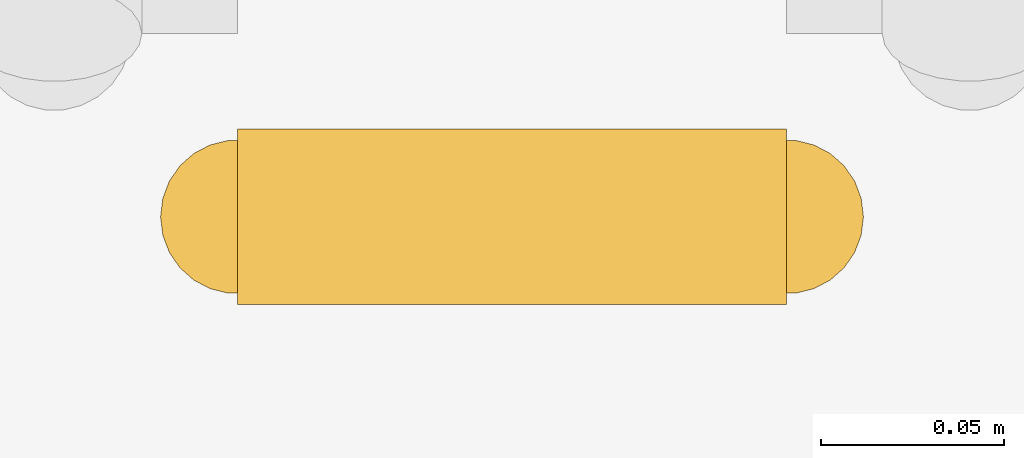
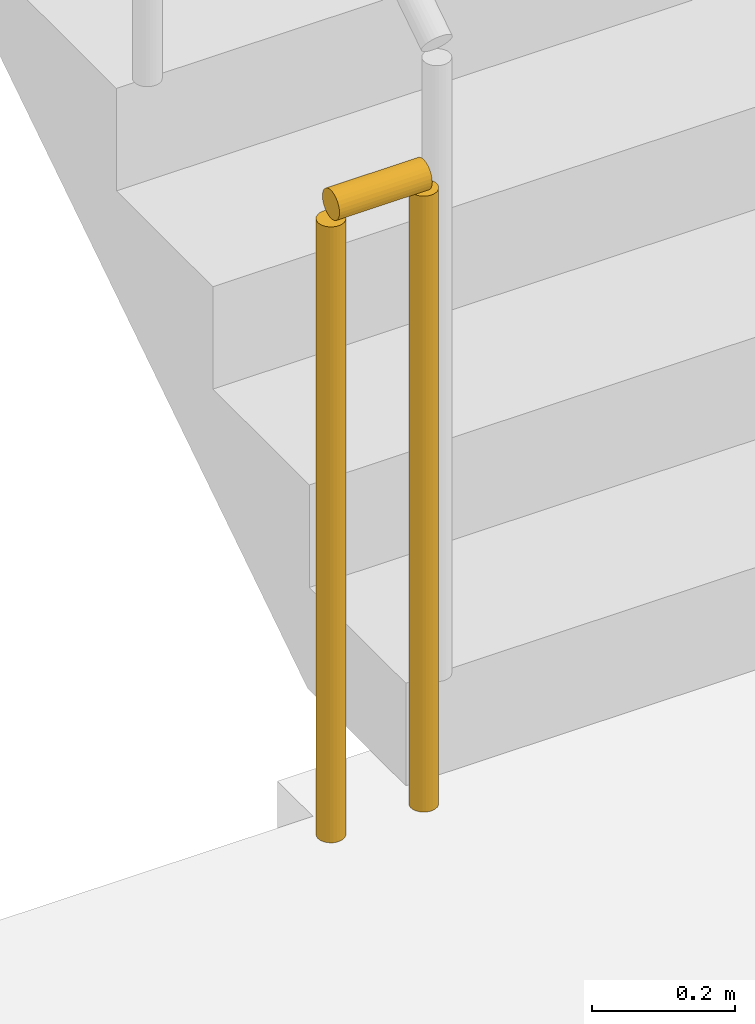
# One storey, part 16 of 19: 1 railing.
"""IFC4 building model written with IfcOpenShell, lengths in metres."""

from ifc_helpers import new_model, si_unit, direction, frame, origin, origin_2d, place, context, subcontext, project, spatial, circle, extrude, material, type_object, element, save


model = new_model("IFC4")

# Units and contexts
model_context = context("Model", 3, precision=1e-05, world=origin(), true_north=direction((0.0, 1.0)))
body_context = subcontext(model_context, "Body", "Model", "MODEL_VIEW")
ifc_project = project(units=[si_unit("LENGTHUNIT", "METRE"), si_unit("AREAUNIT", "SQUARE_METRE"), si_unit("VOLUMEUNIT", "CUBIC_METRE"), si_unit("PLANEANGLEUNIT", "RADIAN"), si_unit("MASSUNIT", "GRAM", prefix="KILO")], contexts=[model_context])

# Site, building, storey
site_placement = place(None, origin())
site = spatial("IfcSite", under=ifc_project, at=site_placement, CompositionType="ELEMENT")
building_placement = place(site_placement, origin())
building = spatial("IfcBuilding", under=site, at=building_placement, Name="Saffron Iwan Residences", CompositionType="ELEMENT")
storey_placement = place(building_placement, frame((0.0, 0.0, 116.5)))
storey = spatial("IfcBuildingStorey", under=building, at=storey_placement, Name="L30", CompositionType="ELEMENT", Elevation=116.5)

# Railing
ifc_material = material(Name="Steel S355", Category="steel")
railing_type = type_object("IfcRailingType", Name="Stair guard 1100", PredefinedType="GUARDRAIL", material=ifc_material)
railing_placement = place(storey_placement, frame((69.699951171875, 67.800048828125, 0.0)))
element("IfcRailing", 1, at=railing_placement, inside=storey, type_object=railing_type, Name="L30 ST-E stair guard 2", PredefinedType="GUARDRAIL", context=body_context, shape_type="SweptSolid", body=[
    extrude(circle(Radius=0.02392578125, at=origin_2d()), frame((0.0, 0.0, 1.076171875), z_axis=(-1.0, 0.0, 0.0), x_axis=(0.0, -1.0, 0.0)), (0.0, 0.0, 1.0), 0.14990234375),
    extrude(circle(Radius=0.02099609375, at=origin_2d()), origin(), (0.0, 0.0, 1.0), 1.052001953125),
    extrude(circle(Radius=0.02099609375, at=origin_2d()), frame((-0.14990234375, 0.0, 0.0)), (0.0, 0.0, 1.0), 1.052001953125),
])

save(model, "model.ifc")
